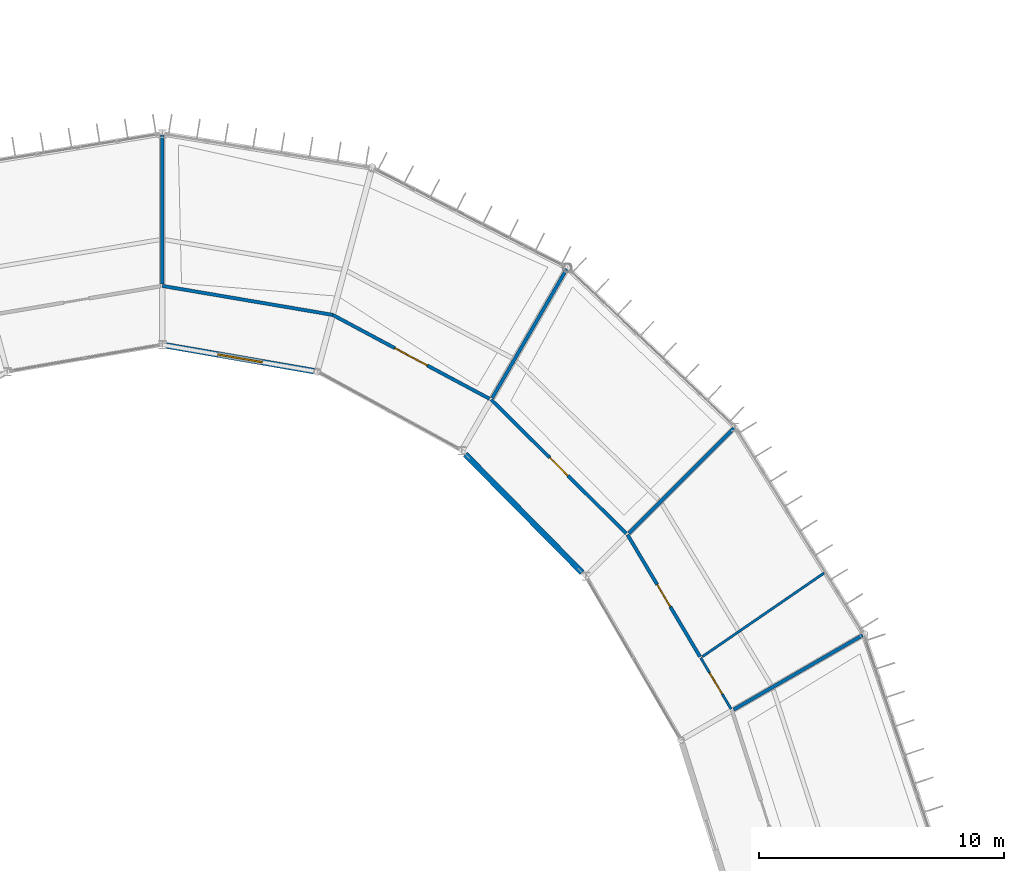
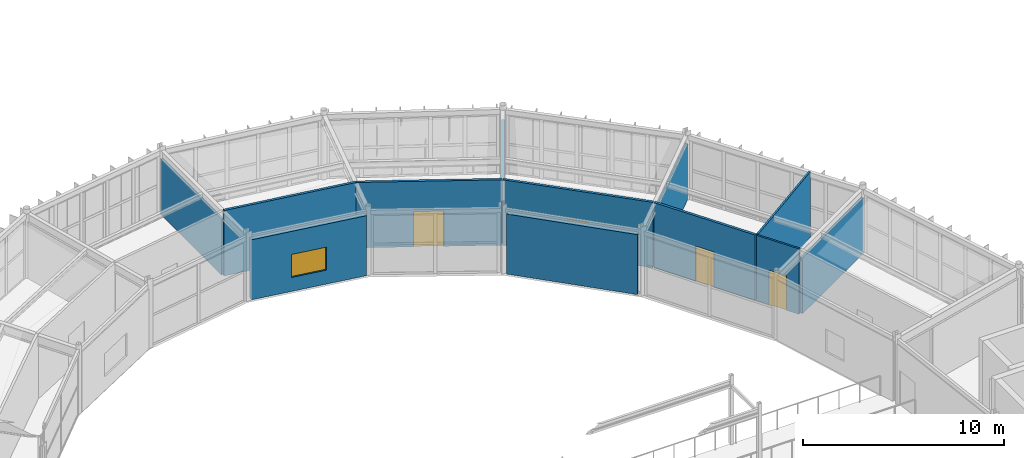
# One storey, part 128 of 148: 12 walls, 4 doors, 1 window, 5 openings.
"""IFC4 building model written with IfcOpenShell, lengths in metres."""

from ifc_helpers import new_model, si_unit, direction, frame, frame_2d, origin, place, context, subcontext, project, spatial, rectangle, extrude, material, layer, layer_set, type_object, element, fill, save


model = new_model("IFC4")

# Units and contexts
model_context = context("Model", 3, precision=1e-05, world=origin(), true_north=direction((0.0, 1.0)))
body_context = subcontext(model_context, "Body", "Model", "MODEL_VIEW")
ifc_project = project(units=[si_unit("LENGTHUNIT", "METRE"), si_unit("AREAUNIT", "SQUARE_METRE"), si_unit("VOLUMEUNIT", "CUBIC_METRE"), si_unit("PLANEANGLEUNIT", "RADIAN"), si_unit("MASSUNIT", "GRAM", prefix="KILO")], contexts=[model_context])

# Site, building, storey
site_placement = place(None, origin())
site = spatial("IfcSite", under=ifc_project, at=site_placement, CompositionType="ELEMENT")
building_placement = place(site_placement, origin())
building = spatial("IfcBuilding", under=site, at=building_placement, Name="Karori Crest Natural Sciences Institute", CompositionType="ELEMENT")
storey_placement = place(building_placement, frame((0.0, 0.0, 4.89990234375)))
storey = spatial("IfcBuildingStorey", under=building, at=storey_placement, Name="L01", CompositionType="ELEMENT", Elevation=4.89990234375)

# Wall
ifc_material_1 = material(Name="Laboratory acoustic drywall partition")
ifc_layer_1 = layer(ifc_material_1, 0.139892578125, Name="Laboratory acoustic drywall partition")
ifc_layer_set_1 = layer_set([ifc_layer_1], Name="Laboratory acoustic drywall partition")
wall_type_1 = type_object("IfcWallType", Name="IWT-07", PredefinedType="PARTITIONING", material=ifc_layer_set_1)
wall_1_placement = place(storey_placement, frame((89.6787109375, 67.239990234375, 0.0), z_axis=(0.0, 0.0, 1.0), x_axis=(0.866020543329, 0.500008418462, 0.0)))
element("IfcWall", 1, at=wall_1_placement, inside=storey, type_object=wall_type_1, Name="Partition wall IW-1211", PredefinedType="PARTITIONING", context=body_context, shape_type="SweptSolid", body=[
    extrude(rectangle(XDim=6.06005859375, YDim=0.139892578125, at=frame_2d((3.030029296875, 0.0))), origin(), (0.0, 0.0, 1.0), 3.39208984375),
])

# Wall, opening, door
wall_2_placement = place(storey_placement, frame((88.30517578125, 69.39453125, 0.0), z_axis=(0.0, 0.0, 1.0), x_axis=(-0.510896676259, 0.859642126811, 0.0)))
wall_2 = element("IfcWall", 2, at=wall_2_placement, inside=storey, type_object=wall_type_1, Name="Partition wall IW-1214", PredefinedType="PARTITIONING", context=body_context, shape_type="SweptSolid", body=[
    extrude(rectangle(XDim=5.783203125, YDim=0.139892578125, at=frame_2d((2.8916015625, 0.0))), origin(), (0.0, 0.0, 1.0), 3.97998046875),
])
opening_1_placement = place(wall_2_placement, frame((2.366455078125, 0.0, 0.0)))
opening_1 = element("IfcOpeningElement", 3, at=opening_1_placement, cuts=wall_2, Name="Opening ID-0368", PredefinedType="OPENING", context=body_context, shape_type="SweptSolid", body=[
    extrude(rectangle(XDim=1.050048828125, YDim=2.14990234375, at=frame_2d((0.52490234375, 1.074951171875))), frame((0.0, 0.080078125, 0.0), z_axis=(0.0, -1.0, 0.0), x_axis=(1.0, 0.0, 0.0)), (0.0, 0.0, 1.0), 0.159912109375),
])
ifc_material_2 = material(Name="Stainless steel 316 and fire-rated timber", Category="steel")
door_type_1 = type_object("IfcDoorType", Name="IDT-03", OperationType="NOTDEFINED", PredefinedType="DOOR", material=ifc_material_2)
door_1_placement = place(opening_1_placement, origin())
door_1 = element("IfcDoor", 4, at=door_1_placement, inside=storey, type_object=door_type_1, Name="Janitor and Consumables Store door ID-0368", OperationType="SINGLE_SWING_RIGHT", OverallHeight=2.14990234375, OverallWidth=1.050048828125, PredefinedType="DOOR", context=body_context, shape_type="SweptSolid", body=[
    extrude(rectangle(XDim=1.050048828125, YDim=2.14990234375, at=frame_2d((0.52490234375, 1.074951171875))), frame((0.0, 0.02490234375, 0.0), z_axis=(0.0, -1.0, 0.0), x_axis=(1.0, 0.0, 0.0)), (0.0, 0.0, 1.0), 0.050048828125),
])
fill(opening_1, door_1)

# Wall
wall_3_placement = place(storey_placement, frame((85.406982421875, 74.422607421875, 0.0), z_axis=(0.0, 0.0, 1.0), x_axis=(0.70712692467, 0.707086637129, 0.0)))
element("IfcWall", 5, at=wall_3_placement, inside=storey, type_object=wall_type_1, Name="Partition wall IW-1215", PredefinedType="PARTITIONING", context=body_context, shape_type="SweptSolid", body=[
    extrude(rectangle(XDim=6.06005859375, YDim=0.139892578125, at=frame_2d((3.030029296875, 0.0))), origin(), (0.0, 0.0, 1.0), 3.39208984375),
])

# Wall, opening, door
wall_4_placement = place(storey_placement, frame((85.29931640625, 74.41650390625, 0.0), z_axis=(0.0, 0.0, 1.0), x_axis=(-0.710410596589, 0.703787456732, 0.0)))
wall_4 = element("IfcWall", 6, at=wall_4_placement, inside=storey, type_object=wall_type_1, Name="Partition wall IW-1216", PredefinedType="PARTITIONING", context=body_context, shape_type="SweptSolid", body=[
    extrude(rectangle(XDim=7.740966796875, YDim=0.139892578125, at=frame_2d((3.87060546875, 0.0))), origin(), (0.0, 0.0, 1.0), 3.97998046875),
])
opening_2_placement = place(wall_4_placement, frame((3.345458984375, 0.0, 0.0)))
opening_2 = element("IfcOpeningElement", 7, at=opening_2_placement, cuts=wall_4, Name="Opening ID-0369", PredefinedType="OPENING", context=body_context, shape_type="SweptSolid", body=[
    extrude(rectangle(XDim=1.050048828125, YDim=2.14990234375, at=frame_2d((0.52490234375, 1.074951171875))), frame((0.0, 0.080078125, 0.0), z_axis=(0.0, -1.0, 0.0), x_axis=(1.0, 0.0, 0.0)), (0.0, 0.0, 1.0), 0.159912109375),
])
door_2_placement = place(opening_2_placement, origin())
door_2 = element("IfcDoor", 8, at=door_2_placement, inside=storey, type_object=door_type_1, Name="Mass Spectrometry Instrument Room door ID-0369", OperationType="SINGLE_SWING_LEFT", OverallHeight=2.14990234375, OverallWidth=1.050048828125, PredefinedType="DOOR", context=body_context, shape_type="SweptSolid", body=[
    extrude(rectangle(XDim=1.050048828125, YDim=2.14990234375, at=frame_2d((0.52490234375, 1.074951171875))), frame((0.0, 0.02490234375, 0.0), z_axis=(0.0, -1.0, 0.0), x_axis=(1.0, 0.0, 0.0)), (0.0, 0.0, 1.0), 0.050048828125),
])
fill(opening_2, door_2)

# Wall
wall_5_placement = place(storey_placement, frame((79.840087890625, 79.933837890625, 0.0), z_axis=(0.0, 0.0, 1.0), x_axis=(0.500008418462, 0.866020543329, 0.0)))
element("IfcWall", 9, at=wall_5_placement, inside=storey, type_object=wall_type_1, Name="Partition wall IW-1217", PredefinedType="PARTITIONING", context=body_context, shape_type="SweptSolid", body=[
    extrude(rectangle(XDim=6.06005859375, YDim=0.139892578125, at=frame_2d((3.030029296875, 0.0))), origin(), (0.0, 0.0, 1.0), 3.31298828125),
])

# Wall, opening, door
wall_6_placement = place(storey_placement, frame((79.736572265625, 79.8984375, 0.0), z_axis=(0.0, 0.0, 1.0), x_axis=(-0.881826283139, 0.471574391125, 0.0)))
wall_6 = element("IfcWall", 10, at=wall_6_placement, inside=storey, type_object=wall_type_1, Name="Partition wall IW-1218", PredefinedType="PARTITIONING", context=body_context, shape_type="SweptSolid", body=[
    extrude(rectangle(XDim=7.2578125, YDim=0.139892578125, at=frame_2d((3.62890625, 0.0))), origin(), (0.0, 0.0, 1.0), 3.97998046875),
])
opening_3_placement = place(wall_6_placement, frame((2.87890625, 0.0, 0.0)))
opening_3 = element("IfcOpeningElement", 11, at=opening_3_placement, cuts=wall_6, Name="Opening ID-0370", PredefinedType="OPENING", context=body_context, shape_type="SweptSolid", body=[
    extrude(rectangle(XDim=1.5, YDim=2.14990234375, at=frame_2d((0.75, 1.074951171875))), frame((0.0, 0.080078125, 0.0), z_axis=(0.0, -1.0, 0.0), x_axis=(1.0, 0.0, 0.0)), (0.0, 0.0, 1.0), 0.159912109375),
])
door_type_2 = type_object("IfcDoorType", Name="IDT-05", OperationType="DOUBLE_DOOR_SINGLE_SWING", PredefinedType="DOOR", material=ifc_material_2)
door_3_placement = place(opening_3_placement, origin())
door_3 = element("IfcDoor", 12, at=door_3_placement, inside=storey, type_object=door_type_2, Name="Organic Biogeochemistry Laboratory door ID-0370", OperationType="DOUBLE_DOOR_SINGLE_SWING", OverallHeight=2.14990234375, OverallWidth=1.5, PredefinedType="DOOR", context=body_context, shape_type="SweptSolid", body=[
    extrude(rectangle(XDim=1.5, YDim=2.14990234375, at=frame_2d((0.75, 1.074951171875))), frame((0.0, 0.02490234375, 0.0), z_axis=(0.0, -1.0, 0.0), x_axis=(1.0, 0.0, 0.0)), (0.0, 0.0, 1.0), 0.050048828125),
])
fill(opening_3, door_3)

# Walls
wall_7_placement = place(storey_placement, frame((73.33447265625, 83.3212890625, 0.0), z_axis=(0.0, 0.0, 1.0), x_axis=(-0.985859746005, 0.167572555053, 0.0)))
element("IfcWall", 13, at=wall_7_placement, inside=storey, type_object=wall_type_1, Name="Partition wall IW-1219", PredefinedType="PARTITIONING", context=body_context, shape_type="SweptSolid", body=[
    extrude(rectangle(XDim=7.033935546875, YDim=0.139892578125, at=frame_2d((3.51708984375, 0.0))), origin(), (0.0, 0.0, 1.0), 3.97998046875),
])
wall_8_placement = place(storey_placement, frame((66.39990234375, 84.580078125, 0.0), z_axis=(0.0, 0.0, 1.0), x_axis=(0.0, 1.0, 0.0)))
element("IfcWall", 14, at=wall_8_placement, inside=storey, type_object=wall_type_1, Name="Partition wall IW-1220", PredefinedType="PARTITIONING", context=body_context, shape_type="SweptSolid", body=[
    extrude(rectangle(XDim=6.059814453125, YDim=0.139892578125, at=frame_2d((3.02978515625, 0.0))), origin(), (0.0, 0.0, 1.0), 3.39208984375),
])

# Wall, opening, door
ifc_material_3 = material(Name="Washroom moisture-resistant partition")
ifc_layer_2 = layer(ifc_material_3, 0.10009765625, Name="Washroom moisture-resistant partition")
ifc_layer_set_2 = layer_set([ifc_layer_2], Name="Washroom moisture-resistant partition")
wall_type_2 = type_object("IfcWallType", Name="IWT-09", PredefinedType="PARTITIONING", material=ifc_layer_set_2)
wall_9_placement = place(storey_placement, frame((89.57275390625, 67.261962890625, 0.0), z_axis=(0.0, 0.0, 1.0), x_axis=(-0.510928867953, 0.859622994046, 0.0)))
wall_9 = element("IfcWall", 15, at=wall_9_placement, inside=storey, type_object=wall_type_2, Name="Partition wall IW-1212", PredefinedType="PARTITIONING", context=body_context, shape_type="SweptSolid", body=[
    extrude(rectangle(XDim=2.428955078125, YDim=0.10009765625, at=frame_2d((1.21435546875, 0.0))), origin(), (0.0, 0.0, 1.0), 3.97998046875),
])
opening_4_placement = place(wall_9_placement, frame((0.71435546875, 0.0, 0.0)))
opening_4 = element("IfcOpeningElement", 16, at=opening_4_placement, cuts=wall_9, Name="Opening ID-0367", PredefinedType="OPENING", context=body_context, shape_type="SweptSolid", body=[
    extrude(rectangle(XDim=1.0, YDim=2.10009765625, at=frame_2d((0.5, 1.050048828125))), frame((0.0, 0.06005859375, 0.0), z_axis=(0.0, -1.0, 0.0), x_axis=(1.0, 0.0, 0.0)), (0.0, 0.0, 1.0), 0.1201171875),
])
ifc_material_4 = material(Name="Anodised aluminium and acoustic timber", Category="wood")
door_type_3 = type_object("IfcDoorType", Name="IDT-09", OperationType="NOTDEFINED", PredefinedType="DOOR", material=ifc_material_4)
door_4_placement = place(opening_4_placement, origin())
door_4 = element("IfcDoor", 17, at=door_4_placement, inside=storey, type_object=door_type_3, Name="Accessible WC door ID-0367", OperationType="SINGLE_SWING_LEFT", OverallHeight=2.10009765625, OverallWidth=1.0, PredefinedType="DOOR", context=body_context, shape_type="SweptSolid", body=[
    extrude(rectangle(XDim=1.0, YDim=2.10009765625, at=frame_2d((0.5, 1.050048828125))), frame((0.0, 0.02490234375, 0.0), z_axis=(0.0, -1.0, 0.0), x_axis=(1.0, 0.0, 0.0)), (0.0, 0.0, 1.0), 0.050048828125),
])
fill(opening_4, door_4)

# Walls
wall_10_placement = place(storey_placement, frame((88.397705078125, 69.39501953125, 0.0), z_axis=(0.0, 0.0, 1.0), x_axis=(0.824271584206, 0.566194626847, 0.0)))
element("IfcWall", 18, at=wall_10_placement, inside=storey, type_object=wall_type_2, Name="Partition wall IW-1213", PredefinedType="PARTITIONING", context=body_context, shape_type="SweptSolid", body=[
    extrude(rectangle(XDim=6.015625, YDim=0.10009765625, at=frame_2d((3.0078125, 0.0))), origin(), (0.0, 0.0, 1.0), 3.97998046875),
])
ifc_material_5 = material(Name="Precast concrete 40 MPa", Category="concrete")
ifc_layer_3 = layer(ifc_material_5, 0.239990234375, Name="Precast concrete 40 MPa")
ifc_layer_set_3 = layer_set([ifc_layer_3], Name="Precast concrete 40 MPa")
wall_type_3 = type_object("IfcWallType", Name="WT-04", PredefinedType="SOLIDWALL", material=ifc_layer_set_3)
wall_11_placement = place(storey_placement, frame((83.501220703125, 72.82275390625, 0.0), z_axis=(0.0, 0.0, 1.0), x_axis=(-0.702669438652, 0.711516450958, 0.0)))
element("IfcWall", 19, at=wall_11_placement, inside=storey, type_object=wall_type_3, Name="Exterior wall EW-0039", PredefinedType="SOLIDWALL", context=body_context, shape_type="SweptSolid", body=[
    extrude(rectangle(XDim=6.760986328125, YDim=0.239990234375, at=frame_2d((3.38037109375, 0.0))), origin(), (0.0, 0.0, 1.0), 3.650146484375),
])

# Wall, opening, window
wall_12_placement = place(storey_placement, frame((72.582763671875, 81.02587890625, 0.0), z_axis=(0.0, 0.0, 1.0), x_axis=(-0.985241011519, 0.171172863562, 0.0)))
wall_12 = element("IfcWall", 20, at=wall_12_placement, inside=storey, type_object=wall_type_3, Name="Exterior wall EW-0040", PredefinedType="SOLIDWALL", context=body_context, shape_type="SweptSolid", body=[
    extrude(rectangle(XDim=6.12158203125, YDim=0.239990234375, at=frame_2d((3.060791015625, 0.0))), origin(), (0.0, 0.0, 1.0), 3.650146484375),
])
opening_5_placement = place(wall_12_placement, frame((2.1357421875, 0.0, 0.85009765625)))
opening_5 = element("IfcOpeningElement", 21, at=opening_5_placement, cuts=wall_12, Name="Opening WN-0010", PredefinedType="OPENING", context=body_context, shape_type="SweptSolid", body=[
    extrude(rectangle(XDim=1.85009765625, YDim=1.39990234375, at=frame_2d((0.925048828125, 0.699951171875))), frame((0.0, 0.1298828125, 0.0), z_axis=(0.0, -1.0, 0.0), x_axis=(1.0, 0.0, 0.0)), (0.0, 0.0, 1.0), 0.260009765625),
])
ifc_material_6 = material(Name="Double low-E laminated glass", Category="glass")
window_type = type_object("IfcWindowType", Name="WNT-06", PartitioningType="SINGLE_PANEL", PredefinedType="WINDOW", material=ifc_material_6)
window_placement = place(opening_5_placement, origin())
window = element("IfcWindow", 22, at=window_placement, inside=storey, type_object=window_type, Name="Window WN-0010", OverallHeight=1.39990234375, OverallWidth=1.85009765625, PartitioningType="SINGLE_PANEL", PredefinedType="WINDOW", context=body_context, shape_type="SweptSolid", body=[
    extrude(rectangle(XDim=1.85009765625, YDim=1.39990234375, at=frame_2d((0.925048828125, 0.699951171875))), frame((0.0, 0.030029296875, 0.0), z_axis=(0.0, -1.0, 0.0), x_axis=(1.0, 0.0, 0.0)), (0.0, 0.0, 1.0), 0.06005859375),
])
fill(opening_5, window)

save(model, "model.ifc")
